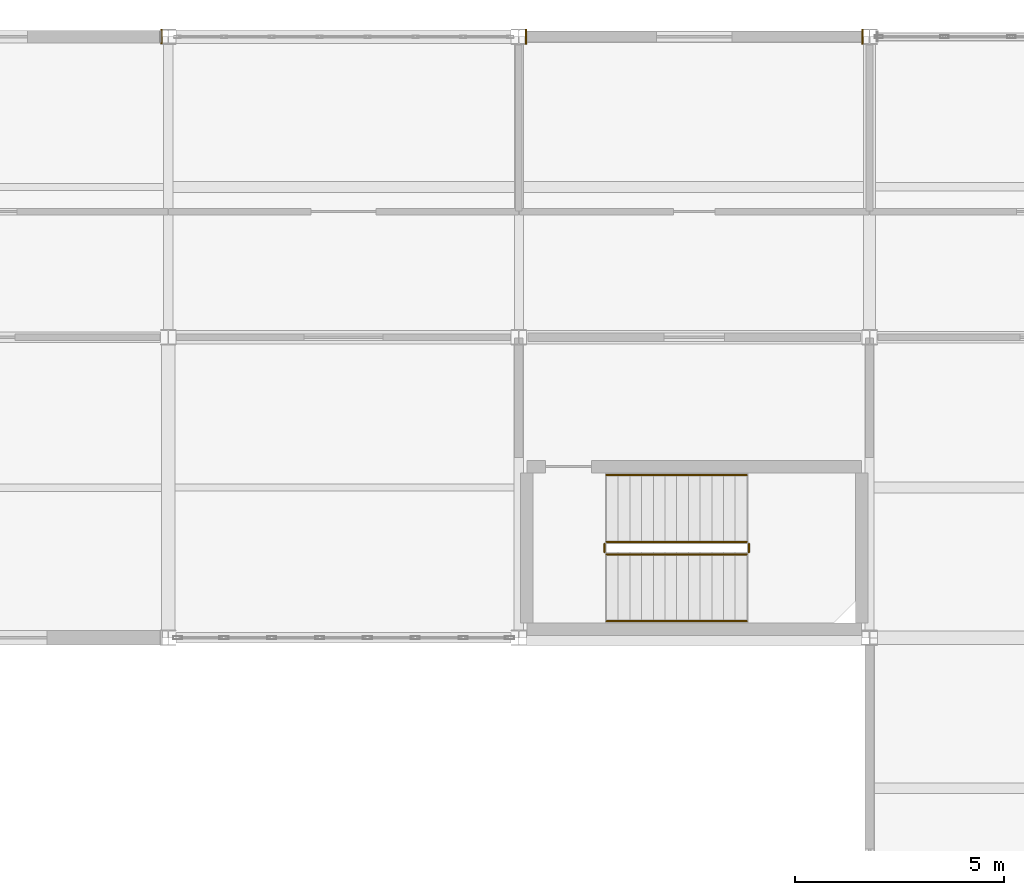
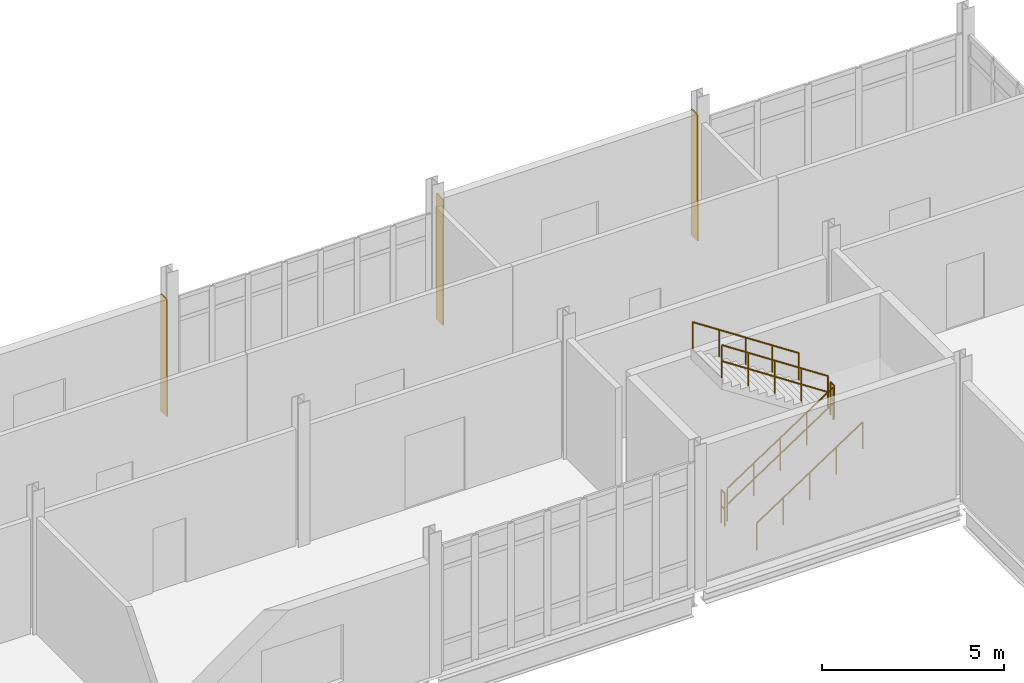
# One storey, part 179 of 186: 6 railings, 3 coverings.
"""IFC4 building model written with IfcOpenShell, lengths in metres."""

from ifc_helpers import new_model, si_unit, direction, frame, origin, origin_2d, place, context, subcontext, project, spatial, polyline, circle, outline, extrude, material, layer, layer_set, type_object, element, save


model = new_model("IFC4")

# Units and contexts
model_context = context("Model", 3, precision=1e-05, world=origin(), true_north=direction((0.0, 1.0)))
body_context = subcontext(model_context, "Body", "Model", "MODEL_VIEW")
ifc_project = project(units=[si_unit("LENGTHUNIT", "METRE"), si_unit("AREAUNIT", "SQUARE_METRE"), si_unit("VOLUMEUNIT", "CUBIC_METRE"), si_unit("PLANEANGLEUNIT", "RADIAN"), si_unit("MASSUNIT", "GRAM", prefix="KILO")], contexts=[model_context])

# Site, building, storey
site_placement = place(None, origin())
site = spatial("IfcSite", under=ifc_project, at=site_placement, CompositionType="ELEMENT")
building_placement = place(site_placement, origin())
building = spatial("IfcBuilding", under=site, at=building_placement, Name="Calvrana Isthmian Art Gallery", CompositionType="ELEMENT")
storey_placement = place(building_placement, frame((0.0, 0.0, 5.39990234375)))
storey = spatial("IfcBuildingStorey", under=building, at=storey_placement, Name="L01", CompositionType="ELEMENT", Elevation=5.39990234375)

# Coverings
ifc_material_1 = material(Name="Polychrome glazed terracotta", Category="masonry")
ifc_layer = layer(ifc_material_1, 0.0400390625, Name="Polychrome glazed terracotta")
ifc_layer_set = layer_set([ifc_layer], Name="Polychrome glazed terracotta")
covering_type = type_object("IfcCoveringType", Name="COV-CLAD-TERRA", PredefinedType="CLADDING", material=ifc_layer_set)
covering_1_placement = place(storey_placement, origin())
element("IfcCovering", 1, at=covering_1_placement, inside=storey, type_object=covering_type, Name="Column pocket weather closure L01-04-15-E", PredefinedType="CLADDING", context=body_context, shape_type="SweptSolid", body=[
    extrude(outline(polyline([(38.216064453125, 112.626953125), (38.256103515625, 112.626953125), (38.256103515625, 112.972900390625), (38.216064453125, 112.972900390625), (38.216064453125, 112.626953125)])), origin(), (0.0, 0.0, 1.0), 3.908203125),
])
covering_2_placement = place(storey_placement, origin())
element("IfcCovering", 2, at=covering_2_placement, inside=storey, type_object=covering_type, Name="Column pocket weather closure L01-06-15-W", PredefinedType="CLADDING", context=body_context, shape_type="SweptSolid", body=[
    extrude(outline(polyline([(46.946533203125, 112.618408203125), (46.986572265625, 112.618408203125), (46.986572265625, 112.9814453125), (46.946533203125, 112.9814453125), (46.946533203125, 112.618408203125)])), origin(), (0.0, 0.0, 1.0), 4.21533203125),
])
covering_3_placement = place(storey_placement, origin())
element("IfcCovering", 3, at=covering_3_placement, inside=storey, type_object=covering_type, Name="Column pocket weather closure L01-06-15-E", PredefinedType="CLADDING", context=body_context, shape_type="SweptSolid", body=[
    extrude(outline(polyline([(55.013427734375, 112.62109375), (55.053466796875, 112.62109375), (55.053466796875, 112.97900390625), (55.013427734375, 112.97900390625), (55.013427734375, 112.62109375)])), origin(), (0.0, 0.0, 1.0), 4.21533203125),
])

# Railings
ifc_material_2 = material(Name="Stainless steel 316", Category="steel")
railing_type_1 = type_object("IfcRailingType", Name="RL-GUARD-1120", PredefinedType="BALUSTRADE", material=ifc_material_2)
railing_1_placement = place(storey_placement, frame((48.89990234375, 100.39990234375, 0.184814453125)))
element("IfcRailing", 4, at=railing_1_placement, inside=storey, type_object=railing_type_1, Name="Stair ST-6 guard L01-1", PredefinedType="BALUSTRADE", context=body_context, shape_type="SweptSolid", body=[
    extrude(circle(Radius=0.02392578125, at=origin_2d()), frame((0.0, 0.0, 1.09619140625), z_axis=(0.834876476806, 0.0, 0.550437342915), x_axis=(0.0, 1.0, 0.0)), (0.0, 0.0, 1.0), 4.024658203125),
    extrude(circle(Radius=0.02392578125, at=origin_2d()), frame((0.0, 0.0, 0.56005859375), z_axis=(0.834876476806, 0.0, 0.550437342915), x_axis=(0.0, 1.0, 0.0)), (0.0, 0.0, 1.0), 4.024658203125),
    extrude(circle(Radius=0.02099609375, at=origin_2d()), origin(), (0.0, 0.0, 1.0), 1.072021484375),
    extrude(circle(Radius=0.02099609375, at=origin_2d()), frame((0.840087890625, 0.0, 0.5537109375)), (0.0, 0.0, 1.0), 1.072021484375),
    extrude(circle(Radius=0.02099609375, at=origin_2d()), frame((1.68017578125, 0.0, 1.107666015625)), (0.0, 0.0, 1.0), 1.072021484375),
    extrude(circle(Radius=0.02099609375, at=origin_2d()), frame((2.52001953125, 0.0, 1.66162109375)), (0.0, 0.0, 1.0), 1.072021484375),
    extrude(circle(Radius=0.02099609375, at=origin_2d()), frame((3.360107421875, 0.0, 2.21533203125)), (0.0, 0.0, 1.0), 1.072021484375),
])
railing_2_placement = place(storey_placement, frame((52.31005859375, 100.449951171875, 2.400146484375)))
element("IfcRailing", 5, at=railing_2_placement, inside=storey, type_object=railing_type_1, Name="Stair ST-6 guard L01-2", PredefinedType="BALUSTRADE", context=body_context, shape_type="SweptSolid", body=[
    extrude(circle(Radius=0.02392578125, at=origin_2d()), frame((0.0, 0.0, 1.09619140625), z_axis=(0.0, 1.0, 0.0), x_axis=(-1.0, 0.0, 0.0)), (0.0, 0.0, 1.0), 0.199951171875),
    extrude(circle(Radius=0.02392578125, at=origin_2d()), frame((0.0, 0.0, 0.56005859375), z_axis=(0.0, 1.0, 0.0), x_axis=(-1.0, 0.0, 0.0)), (0.0, 0.0, 1.0), 0.199951171875),
    extrude(circle(Radius=0.02099609375, at=origin_2d()), origin(), (0.0, 0.0, 1.0), 1.072021484375),
    extrude(circle(Radius=0.02099609375, at=origin_2d()), frame((0.0, 0.199951171875, 0.0)), (0.0, 0.0, 1.0), 1.072021484375),
])
railing_3_placement = place(storey_placement, frame((52.260009765625, 100.699951171875, 2.584716796875)))
element("IfcRailing", 6, at=railing_3_placement, inside=storey, type_object=railing_type_1, Name="Stair ST-6 guard L01-3", PredefinedType="BALUSTRADE", context=body_context, shape_type="SweptSolid", body=[
    extrude(circle(Radius=0.02392578125, at=origin_2d()), frame((0.0, 0.0, 1.09619140625), z_axis=(-0.834876476806, 0.0, 0.550437342915), x_axis=(0.0, -1.0, 0.0)), (0.0, 0.0, 1.0), 4.024658203125),
    extrude(circle(Radius=0.02392578125, at=origin_2d()), frame((0.0, 0.0, 0.56005859375), z_axis=(-0.834876476806, 0.0, 0.550437342915), x_axis=(0.0, -1.0, 0.0)), (0.0, 0.0, 1.0), 4.024658203125),
    extrude(circle(Radius=0.02099609375, at=origin_2d()), origin(), (0.0, 0.0, 1.0), 1.072021484375),
    extrude(circle(Radius=0.02099609375, at=origin_2d()), frame((-0.840087890625, 0.0, 0.5537109375)), (0.0, 0.0, 1.0), 1.072021484375),
    extrude(circle(Radius=0.02099609375, at=origin_2d()), frame((-1.68017578125, 0.0, 1.107666015625)), (0.0, 0.0, 1.0), 1.072021484375),
    extrude(circle(Radius=0.02099609375, at=origin_2d()), frame((-2.52001953125, 0.0, 1.66162109375)), (0.0, 0.0, 1.0), 1.072021484375),
    extrude(circle(Radius=0.02099609375, at=origin_2d()), frame((-3.360107421875, 0.0, 2.21533203125)), (0.0, 0.0, 1.0), 1.072021484375),
])
railing_4_placement = place(storey_placement, frame((48.85009765625, 100.449951171875, 0.0)))
element("IfcRailing", 7, at=railing_4_placement, inside=storey, type_object=railing_type_1, Name="Stair ST-6 guard L01-4", PredefinedType="BALUSTRADE", context=body_context, shape_type="SweptSolid", body=[
    extrude(circle(Radius=0.02392578125, at=origin_2d()), frame((0.0, 0.0, 1.09619140625), z_axis=(0.0, 1.0, 0.0), x_axis=(-1.0, 0.0, 0.0)), (0.0, 0.0, 1.0), 0.199951171875),
    extrude(circle(Radius=0.02392578125, at=origin_2d()), frame((0.0, 0.0, 0.56005859375), z_axis=(0.0, 1.0, 0.0), x_axis=(-1.0, 0.0, 0.0)), (0.0, 0.0, 1.0), 0.199951171875),
    extrude(circle(Radius=0.02099609375, at=origin_2d()), origin(), (0.0, 0.0, 1.0), 1.072021484375),
    extrude(circle(Radius=0.02099609375, at=origin_2d()), frame((0.0, 0.199951171875, 0.0)), (0.0, 0.0, 1.0), 1.072021484375),
])
railing_type_2 = type_object("IfcRailingType", Name="RL-HAND-920", PredefinedType="HANDRAIL", material=ifc_material_2)
railing_5_placement = place(storey_placement, frame((48.89990234375, 98.800048828125, 0.184814453125)))
element("IfcRailing", 8, at=railing_5_placement, inside=storey, type_object=railing_type_2, Name="Stair ST-6 handrail L01-1", PredefinedType="HANDRAIL", context=body_context, shape_type="SweptSolid", body=[
    extrude(circle(Radius=0.02392578125, at=origin_2d()), frame((0.0, 0.0, 0.89599609375), z_axis=(0.834876476806, 0.0, 0.550437342915), x_axis=(0.0, 1.0, 0.0)), (0.0, 0.0, 1.0), 4.024658203125),
    extrude(circle(Radius=0.02099609375, at=origin_2d()), origin(), (0.0, 0.0, 1.0), 0.871826171875),
    extrude(circle(Radius=0.02099609375, at=origin_2d()), frame((0.840087890625, 0.0, 0.5537109375)), (0.0, 0.0, 1.0), 0.871826171875),
    extrude(circle(Radius=0.02099609375, at=origin_2d()), frame((1.68017578125, 0.0, 1.107666015625)), (0.0, 0.0, 1.0), 0.871826171875),
    extrude(circle(Radius=0.02099609375, at=origin_2d()), frame((2.52001953125, 0.0, 1.66162109375)), (0.0, 0.0, 1.0), 0.871826171875),
    extrude(circle(Radius=0.02099609375, at=origin_2d()), frame((3.360107421875, 0.0, 2.21533203125)), (0.0, 0.0, 1.0), 0.871826171875),
])
railing_6_placement = place(storey_placement, frame((52.260009765625, 102.300048828125, 2.584716796875)))
element("IfcRailing", 9, at=railing_6_placement, inside=storey, type_object=railing_type_2, Name="Stair ST-6 handrail L01-2", PredefinedType="HANDRAIL", context=body_context, shape_type="SweptSolid", body=[
    extrude(circle(Radius=0.02392578125, at=origin_2d()), frame((0.0, 0.0, 0.89599609375), z_axis=(-0.834876476806, 0.0, 0.550437342915), x_axis=(0.0, -1.0, 0.0)), (0.0, 0.0, 1.0), 4.024658203125),
    extrude(circle(Radius=0.02099609375, at=origin_2d()), origin(), (0.0, 0.0, 1.0), 0.871826171875),
    extrude(circle(Radius=0.02099609375, at=origin_2d()), frame((-0.840087890625, 0.0, 0.5537109375)), (0.0, 0.0, 1.0), 0.871826171875),
    extrude(circle(Radius=0.02099609375, at=origin_2d()), frame((-1.68017578125, 0.0, 1.107666015625)), (0.0, 0.0, 1.0), 0.871826171875),
    extrude(circle(Radius=0.02099609375, at=origin_2d()), frame((-2.52001953125, 0.0, 1.66162109375)), (0.0, 0.0, 1.0), 0.871826171875),
    extrude(circle(Radius=0.02099609375, at=origin_2d()), frame((-3.360107421875, 0.0, 2.21533203125)), (0.0, 0.0, 1.0), 0.871826171875),
])

save(model, "model.ifc")
